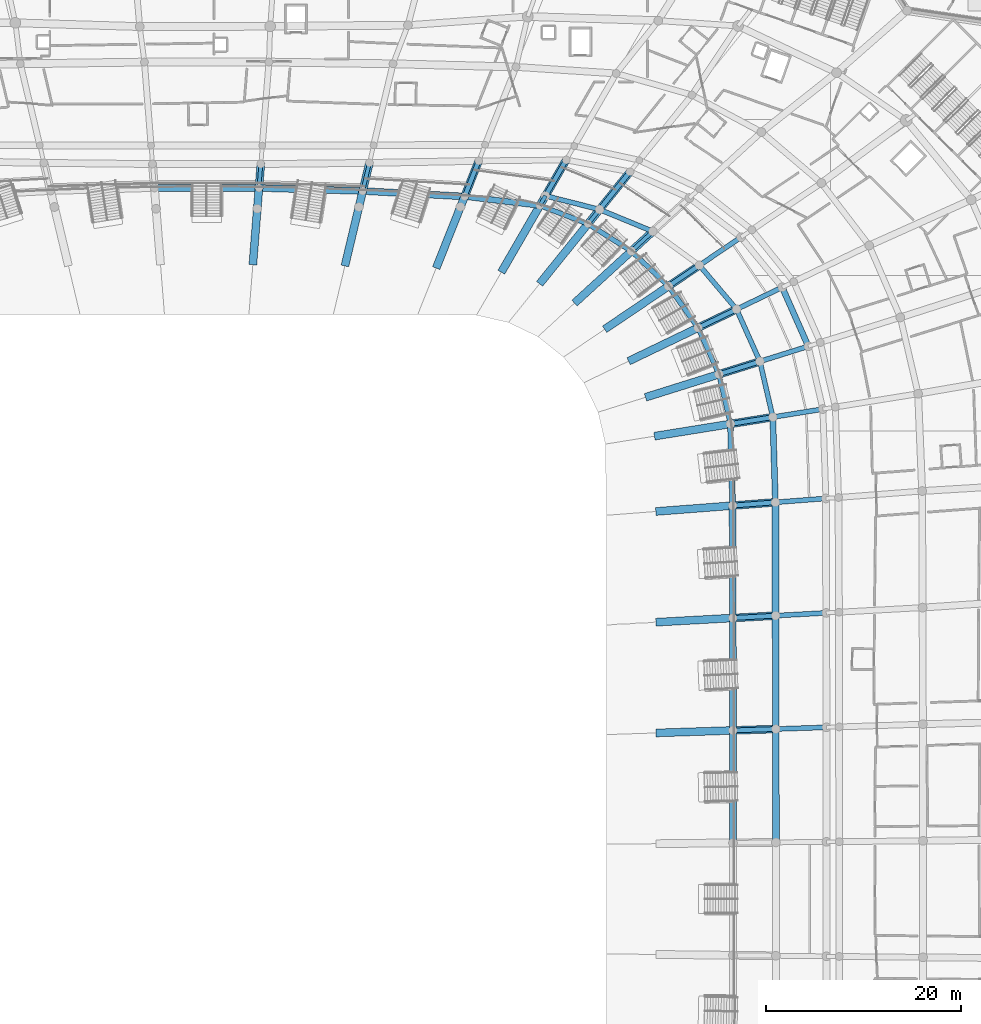
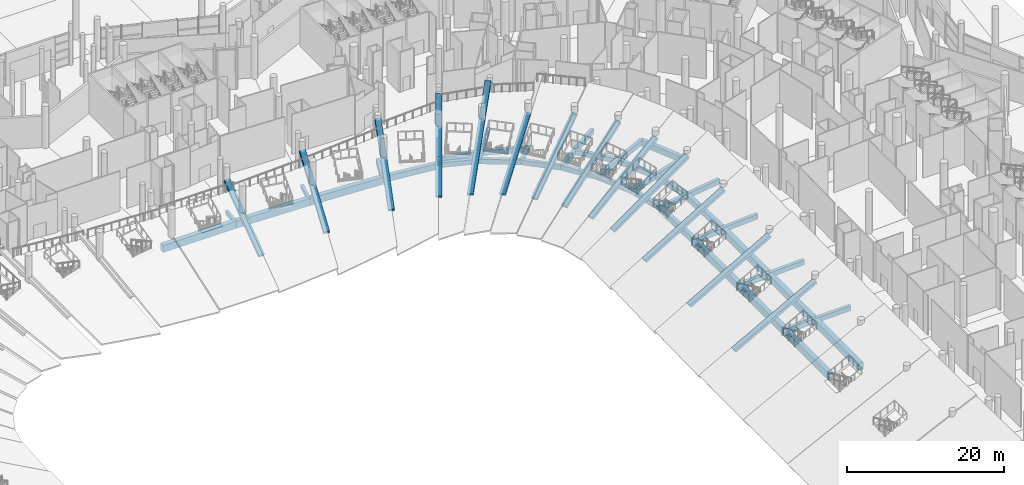
# One storey, part 56 of 255: 64 beams.
"""IFC4 building model written with IfcOpenShell, lengths in metres."""

from ifc_helpers import new_model, si_unit, direction, frame, origin, origin_2d, place, context, subcontext, project, spatial, rectangle, extrude, material, material_profile, profile_set, type_object, element, save


model = new_model("IFC4")

# Units and contexts
model_context = context("Model", 3, precision=1e-05, world=origin(), true_north=direction((0.0, 1.0)))
body_context = subcontext(model_context, "Body", "Model", "MODEL_VIEW")
ifc_project = project(units=[si_unit("LENGTHUNIT", "METRE"), si_unit("AREAUNIT", "SQUARE_METRE"), si_unit("VOLUMEUNIT", "CUBIC_METRE"), si_unit("PLANEANGLEUNIT", "RADIAN"), si_unit("MASSUNIT", "GRAM", prefix="KILO")], contexts=[model_context])

# Site, building, storey
site_placement = place(None, origin())
site = spatial("IfcSite", under=ifc_project, at=site_placement, CompositionType="ELEMENT")
building_placement = place(site_placement, origin())
building = spatial("IfcBuilding", under=site, at=building_placement, Name="Meseta Stadium", CompositionType="ELEMENT")
storey_placement = place(building_placement, origin())
storey = spatial("IfcBuildingStorey", under=building, at=storey_placement, Name="L00", CompositionType="ELEMENT", Elevation=0.0)

# Beams
ifc_material_1 = material(Name="Concrete C40/50", Category="concrete")
ifc_material_profile_1 = material_profile(ifc_material_1, rectangle(XDim=0.39990234375, YDim=0.60009765625, at=origin_2d()), Name="RC 400x600")
ifc_profile_set_1 = profile_set([ifc_material_profile_1], Name="Concrete C40/50")
beam_type_1 = type_object("IfcBeamType", Name="RC beam 400x600", PredefinedType="BEAM", material=ifc_profile_set_1)
beam_1_placement = place(storey_placement, frame((43.5693359375, 66.478759765625, -0.699951171875), z_axis=(0.737617825798, 0.675218440999, 0.0), x_axis=(-0.675218440999, 0.737617825798, 0.0)))
element("IfcBeam", 1, at=beam_1_placement, inside=storey, type_object=beam_type_1, Name="L00 radial beam frame 13 line B to U", PredefinedType="BEAM", context=body_context, shape_type="SweptSolid", body=[
    extrude(rectangle(XDim=0.39990234375, YDim=0.60009765625, at=origin_2d()), origin(), (0.0, 0.0, 1.0), 2.9931640625),
])
beam_2_placement = place(storey_placement, frame((39.11865234375, 69.274658203125, -0.699951171875), z_axis=(0.628006940143, 0.778207737775, 0.0), x_axis=(-0.778207737775, 0.628006940143, 0.0)))
element("IfcBeam", 2, at=beam_2_placement, inside=storey, type_object=beam_type_1, Name="L00 radial beam frame 14 line B to U", PredefinedType="BEAM", context=body_context, shape_type="SweptSolid", body=[
    extrude(rectangle(XDim=0.39990234375, YDim=0.60009765625, at=origin_2d()), origin(), (0.0, 0.0, 1.0), 1.8935546875),
])
beam_3_placement = place(storey_placement, frame((34.185302734375, 71.16064453125, -0.699951171875), z_axis=(0.500408466565, 0.865789447031, 0.0), x_axis=(-0.865789447031, 0.500408466565, 0.0)))
element("IfcBeam", 3, at=beam_3_placement, inside=storey, type_object=beam_type_1, Name="L00 radial beam frame 15 line B to U", PredefinedType="BEAM", context=body_context, shape_type="SweptSolid", body=[
    extrude(rectangle(XDim=0.39990234375, YDim=0.60009765625, at=origin_2d()), origin(), (0.0, 0.0, 1.0), 1.14990234375),
])
beam_4_placement = place(storey_placement, frame((16.010986328125, 72.646484375, -0.699951171875), z_axis=(0.231665078312, 0.972795606225, 0.0), x_axis=(-0.972795606225, 0.231665078312, 0.0)))
element("IfcBeam", 4, at=beam_4_placement, inside=storey, type_object=beam_type_1, Name="L00 radial beam frame 17 line B to C", PredefinedType="BEAM", context=body_context, shape_type="SweptSolid", body=[
    extrude(rectangle(XDim=0.39990234375, YDim=0.60009765625, at=origin_2d()), origin(), (0.0, 0.0, 1.0), 2.96337890625),
])
beam_5_placement = place(storey_placement, frame((5.36181640625, 72.959228515625, -0.699951171875), z_axis=(0.079091287257, 0.996867377478, 0.0), x_axis=(-0.996867377478, 0.079091287257, 0.0)))
element("IfcBeam", 5, at=beam_5_placement, inside=storey, type_object=beam_type_1, Name="L00 radial beam frame 18 line B to C", PredefinedType="BEAM", context=body_context, shape_type="SweptSolid", body=[
    extrude(rectangle(XDim=0.39990234375, YDim=0.60009765625, at=origin_2d()), origin(), (0.0, 0.0, 1.0), 2.46337890625),
])
ifc_material_2 = material(Name="Concrete C40/50", Category="concrete")
ifc_material_profile_2 = material_profile(ifc_material_2, rectangle(XDim=0.5, YDim=0.75, at=origin_2d()), Name="RC 500x750")
ifc_profile_set_2 = profile_set([ifc_material_profile_2], Name="Concrete C40/50")
beam_type_2 = type_object("IfcBeamType", Name="RC beam 500x750", PredefinedType="BEAM", material=ifc_profile_set_2)
beam_6_placement = place(storey_placement, frame((53.740234375, 48.74658203125, -0.77490234375), z_axis=(-0.225091279116, 0.974337680718, 0.0), x_axis=(-0.974337680718, -0.225091279116, 0.0)))
element("IfcBeam", 6, at=beam_6_placement, inside=storey, type_object=beam_type_2, Name="L00 ring beam frame 9 line B", PredefinedType="BEAM", context=body_context, shape_type="SweptSolid", body=[
    extrude(rectangle(XDim=0.5, YDim=0.75, at=origin_2d()), origin(), (0.0, 0.0, 1.0), 5.231201171875),
])
beam_7_placement = place(storey_placement, frame((58.084228515625, 49.4462890625, -0.77490234375), z_axis=(-0.225583026399, 0.974223946637, 0.0), x_axis=(-0.974223946637, -0.225583026399, 0.0)))
element("IfcBeam", 7, at=beam_7_placement, inside=storey, type_object=beam_type_2, Name="L00 ring beam frame 9 line U", PredefinedType="BEAM", context=body_context, shape_type="SweptSolid", body=[
    extrude(rectangle(XDim=0.5, YDim=0.75, at=origin_2d()), origin(), (0.0, 0.0, 1.0), 5.86474609375),
])
beam_8_placement = place(storey_placement, frame((52.562744140625, 53.843505859375, -0.77490234375), z_axis=(-0.410234670031, 0.911979997316, 0.0), x_axis=(-0.911979997316, -0.410234670031, 0.0)))
element("IfcBeam", 8, at=beam_8_placement, inside=storey, type_object=beam_type_2, Name="L00 ring beam frame 10 line B", PredefinedType="BEAM", context=body_context, shape_type="SweptSolid", body=[
    extrude(rectangle(XDim=0.5, YDim=0.75, at=origin_2d()), origin(), (0.0, 0.0, 1.0), 5.231689453125),
])
beam_9_placement = place(storey_placement, frame((56.76123046875, 55.159912109375, -0.77490234375), z_axis=(-0.408647140916, 0.912692453251, 0.0), x_axis=(-0.912692453251, -0.408647140916, 0.0)))
element("IfcBeam", 9, at=beam_9_placement, inside=storey, type_object=beam_type_2, Name="L00 ring beam frame 10 line U", PredefinedType="BEAM", context=body_context, shape_type="SweptSolid", body=[
    extrude(rectangle(XDim=0.5, YDim=0.75, at=origin_2d()), origin(), (0.0, 0.0, 1.0), 5.86572265625),
])
beam_10_placement = place(storey_placement, frame((50.41650390625, 58.61474609375, -0.77490234375), z_axis=(-0.579777051217, 0.814775165848, 0.0), x_axis=(-0.814775165848, -0.579777051217, 0.0)))
element("IfcBeam", 10, at=beam_10_placement, inside=storey, type_object=beam_type_2, Name="L00 ring beam frame 11 line B", PredefinedType="BEAM", context=body_context, shape_type="SweptSolid", body=[
    extrude(rectangle(XDim=0.5, YDim=0.75, at=origin_2d()), origin(), (0.0, 0.0, 1.0), 5.235107421875),
])
beam_11_placement = place(storey_placement, frame((54.3642578125, 60.513427734375, -0.77490234375), z_axis=(-0.645643699587, 0.76363879759, 0.0), x_axis=(-0.76363879759, -0.645643699587, 0.0)))
element("IfcBeam", 11, at=beam_11_placement, inside=storey, type_object=beam_type_2, Name="L00 ring beam frame 11 line U", PredefinedType="BEAM", context=body_context, shape_type="SweptSolid", body=[
    extrude(rectangle(XDim=0.5, YDim=0.75, at=origin_2d()), origin(), (0.0, 0.0, 1.0), 5.903076171875),
])
beam_12_placement = place(storey_placement, frame((47.38134765625, 62.880126953125, -0.77490234375), z_axis=(-0.727165536256, 0.686462149635, 0.0), x_axis=(-0.686462149635, -0.727165536256, 0.0)))
element("IfcBeam", 12, at=beam_12_placement, inside=storey, type_object=beam_type_2, Name="L00 ring beam frame 12 line B", PredefinedType="BEAM", context=body_context, shape_type="SweptSolid", body=[
    extrude(rectangle(XDim=0.5, YDim=0.75, at=origin_2d()), origin(), (0.0, 0.0, 1.0), 5.2421875),
])
beam_13_placement = place(storey_placement, frame((43.5693359375, 66.478759765625, -0.77490234375), z_axis=(-0.846780026323, 0.531943217853, 0.0), x_axis=(-0.531943217853, -0.846780026323, 0.0)))
element("IfcBeam", 13, at=beam_13_placement, inside=storey, type_object=beam_type_2, Name="L00 ring beam frame 13 line B", PredefinedType="BEAM", context=body_context, shape_type="SweptSolid", body=[
    extrude(rectangle(XDim=0.5, YDim=0.75, at=origin_2d()), origin(), (0.0, 0.0, 1.0), 5.256103515625),
])
beam_14_placement = place(storey_placement, frame((45.777099609375, 68.499755859375, -0.77490234375), z_axis=(-0.924886587788, 0.380243079793, 0.0), x_axis=(-0.380243079793, -0.924886587788, 0.0)))
element("IfcBeam", 14, at=beam_14_placement, inside=storey, type_object=beam_type_2, Name="L00 ring beam frame 13 line U", PredefinedType="BEAM", context=body_context, shape_type="SweptSolid", body=[
    extrude(rectangle(XDim=0.5, YDim=0.75, at=origin_2d()), origin(), (0.0, 0.0, 1.0), 5.913330078125),
])
beam_15_placement = place(storey_placement, frame((39.11865234375, 69.274658203125, -0.77490234375), z_axis=(-0.934070428282, 0.357088833497, 0.0), x_axis=(-0.357088833497, -0.934070428282, 0.0)))
element("IfcBeam", 15, at=beam_15_placement, inside=storey, type_object=beam_type_2, Name="L00 ring beam frame 14 line B", PredefinedType="BEAM", context=body_context, shape_type="SweptSolid", body=[
    extrude(rectangle(XDim=0.5, YDim=0.75, at=origin_2d()), origin(), (0.0, 0.0, 1.0), 5.281494140625),
])
beam_16_placement = place(storey_placement, frame((40.307861328125, 70.748291015625, -0.77490234375), z_axis=(-0.969265492961, 0.246017081022, 0.0), x_axis=(-0.246017081022, -0.969265492961, 0.0)))
element("IfcBeam", 16, at=beam_16_placement, inside=storey, type_object=beam_type_2, Name="L00 ring beam frame 14 line U", PredefinedType="BEAM", context=body_context, shape_type="SweptSolid", body=[
    extrude(rectangle(XDim=0.5, YDim=0.75, at=origin_2d()), origin(), (0.0, 0.0, 1.0), 5.722900390625),
])
beam_17_placement = place(storey_placement, frame((53.992919921875, 17.302490234375, -0.77490234375), z_axis=(0.999460377963, 0.032847418184, 0.0), x_axis=(-0.032847418184, 0.999460377963, 0.0)))
element("IfcBeam", 17, at=beam_17_placement, inside=storey, type_object=beam_type_2, Name="L00 radial beam frame 6 line B to U", PredefinedType="BEAM", context=body_context, shape_type="SweptSolid", body=[
    extrude(rectangle(XDim=0.5, YDim=0.75, at=origin_2d()), origin(), (0.0, 0.0, 1.0), 4.400146484375),
])
beam_18_placement = place(storey_placement, frame((58.390625, 17.447021484375, -0.77490234375), z_axis=(0.999459812725, 0.032864612406, 0.0), x_axis=(-0.032864612406, 0.999459812725, 0.0)))
element("IfcBeam", 18, at=beam_18_placement, inside=storey, type_object=beam_type_2, Name="L00 radial beam frame 6 line U to C", PredefinedType="BEAM", context=body_context, shape_type="SweptSolid", body=[
    extrude(rectangle(XDim=0.5, YDim=0.75, at=origin_2d()), origin(), (0.0, 0.0, 1.0), 5.2001953125),
])
beam_19_placement = place(storey_placement, frame((53.98046875, 28.836669921875, -0.77490234375), z_axis=(0.998502235363, 0.05471093104, 0.0), x_axis=(-0.05471093104, 0.998502235363, 0.0)))
element("IfcBeam", 19, at=beam_19_placement, inside=storey, type_object=beam_type_2, Name="L00 radial beam frame 7 line B to U", PredefinedType="BEAM", context=body_context, shape_type="SweptSolid", body=[
    extrude(rectangle(XDim=0.5, YDim=0.75, at=origin_2d()), origin(), (0.0, 0.0, 1.0), 4.39990234375),
])
beam_20_placement = place(storey_placement, frame((58.373779296875, 29.077392578125, -0.77490234375), z_axis=(0.998497968402, 0.054788749724, 0.0), x_axis=(-0.054788749724, 0.998497968402, 0.0)))
element("IfcBeam", 20, at=beam_20_placement, inside=storey, type_object=beam_type_2, Name="L00 radial beam frame 7 line U to C", PredefinedType="BEAM", context=body_context, shape_type="SweptSolid", body=[
    extrude(rectangle(XDim=0.5, YDim=0.75, at=origin_2d()), origin(), (0.0, 0.0, 1.0), 5.2001953125),
])
beam_21_placement = place(storey_placement, frame((53.9619140625, 40.369873046875, -0.77490234375), z_axis=(0.997068503293, 0.076514049307, 0.0), x_axis=(-0.076514049307, 0.997068503293, 0.0)))
element("IfcBeam", 21, at=beam_21_placement, inside=storey, type_object=beam_type_2, Name="L00 radial beam frame 8 line B to U", PredefinedType="BEAM", context=body_context, shape_type="SweptSolid", body=[
    extrude(rectangle(XDim=0.5, YDim=0.75, at=origin_2d()), origin(), (0.0, 0.0, 1.0), 4.400146484375),
])
beam_22_placement = place(storey_placement, frame((58.34912109375, 40.70654296875, -0.77490234375), z_axis=(0.997067176411, 0.076531338178, 0.0), x_axis=(-0.076531338178, 0.997067176411, 0.0)))
element("IfcBeam", 22, at=beam_22_placement, inside=storey, type_object=beam_type_2, Name="L00 radial beam frame 8 line U to C", PredefinedType="BEAM", context=body_context, shape_type="SweptSolid", body=[
    extrude(rectangle(XDim=0.5, YDim=0.75, at=origin_2d()), origin(), (0.0, 0.0, 1.0), 5.19970703125),
])
beam_23_placement = place(storey_placement, frame((53.740234375, 48.74658203125, -0.77490234375), z_axis=(0.98727458223, 0.15902483857, 0.0), x_axis=(-0.15902483857, 0.98727458223, 0.0)))
element("IfcBeam", 23, at=beam_23_placement, inside=storey, type_object=beam_type_2, Name="L00 radial beam frame 9 line B to U", PredefinedType="BEAM", context=body_context, shape_type="SweptSolid", body=[
    extrude(rectangle(XDim=0.5, YDim=0.75, at=origin_2d()), origin(), (0.0, 0.0, 1.0), 4.39990234375),
])
beam_24_placement = place(storey_placement, frame((58.084228515625, 49.4462890625, -0.77490234375), z_axis=(0.98728370104, 0.158968215879, 0.0), x_axis=(-0.158968215879, 0.98728370104, 0.0)))
element("IfcBeam", 24, at=beam_24_placement, inside=storey, type_object=beam_type_2, Name="L00 radial beam frame 9 line U to C", PredefinedType="BEAM", context=body_context, shape_type="SweptSolid", body=[
    extrude(rectangle(XDim=0.5, YDim=0.75, at=origin_2d()), origin(), (0.0, 0.0, 1.0), 5.2001953125),
])
beam_25_placement = place(storey_placement, frame((52.562744140625, 53.843505859375, -0.77490234375), z_axis=(0.954196192549, 0.299181593896, 0.0), x_axis=(-0.299181593896, 0.954196192549, 0.0)))
element("IfcBeam", 25, at=beam_25_placement, inside=storey, type_object=beam_type_2, Name="L00 radial beam frame 10 line B to U", PredefinedType="BEAM", context=body_context, shape_type="SweptSolid", body=[
    extrude(rectangle(XDim=0.5, YDim=0.75, at=origin_2d()), origin(), (0.0, 0.0, 1.0), 4.39990234375),
])
beam_26_placement = place(storey_placement, frame((56.76123046875, 55.159912109375, -0.77490234375), z_axis=(0.954202212312, 0.299162394059, 0.0), x_axis=(-0.299162394059, 0.954202212312, 0.0)))
element("IfcBeam", 26, at=beam_26_placement, inside=storey, type_object=beam_type_2, Name="L00 radial beam frame 10 line U to C", PredefinedType="BEAM", context=body_context, shape_type="SweptSolid", body=[
    extrude(rectangle(XDim=0.5, YDim=0.75, at=origin_2d()), origin(), (0.0, 0.0, 1.0), 5.199951171875),
])
beam_27_placement = place(storey_placement, frame((50.41650390625, 58.61474609375, -0.77490234375), z_axis=(0.901187960195, 0.433428495141, 0.0), x_axis=(-0.433428495141, 0.901187960195, 0.0)))
element("IfcBeam", 27, at=beam_27_placement, inside=storey, type_object=beam_type_2, Name="L00 radial beam frame 11 line B to U", PredefinedType="BEAM", context=body_context, shape_type="SweptSolid", body=[
    extrude(rectangle(XDim=0.5, YDim=0.75, at=origin_2d()), origin(), (0.0, 0.0, 1.0), 4.380615234375),
])
beam_28_placement = place(storey_placement, frame((54.3642578125, 60.513427734375, -0.77490234375), z_axis=(0.90120621649, 0.433390534461, 0.0), x_axis=(-0.433390534461, 0.90120621649, 0.0)))
element("IfcBeam", 28, at=beam_28_placement, inside=storey, type_object=beam_type_2, Name="L00 radial beam frame 11 line U to C", PredefinedType="BEAM", context=body_context, shape_type="SweptSolid", body=[
    extrude(rectangle(XDim=0.5, YDim=0.75, at=origin_2d()), origin(), (0.0, 0.0, 1.0), 5.198486328125),
])
beam_29_placement = place(storey_placement, frame((47.38134765625, 62.880126953125, -0.77490234375), z_axis=(0.828816868957, 0.559519970807, 0.0), x_axis=(-0.559519970807, 0.828816868957, 0.0)))
element("IfcBeam", 29, at=beam_29_placement, inside=storey, type_object=beam_type_2, Name="L00 radial beam frame 12 line B to U", PredefinedType="BEAM", context=body_context, shape_type="SweptSolid", body=[
    extrude(rectangle(XDim=0.5, YDim=0.75, at=origin_2d()), origin(), (0.0, 0.0, 1.0), 3.82666015625),
])
beam_30_placement = place(storey_placement, frame((50.552978515625, 65.021240234375, -0.77490234375), z_axis=(0.828811285553, 0.559528241414, 0.0), x_axis=(-0.559528241414, 0.828811285553, 0.0)))
element("IfcBeam", 30, at=beam_30_placement, inside=storey, type_object=beam_type_2, Name="L00 radial beam frame 12 line U to C", PredefinedType="BEAM", context=body_context, shape_type="SweptSolid", body=[
    extrude(rectangle(XDim=0.5, YDim=0.75, at=origin_2d()), origin(), (0.0, 0.0, 1.0), 5.14794921875),
])
beam_31_placement = place(storey_placement, frame((40.307861328125, 70.748291015625, -0.77490234375), z_axis=(0.62803074545, 0.778188526496, 0.0), x_axis=(-0.778188526496, 0.62803074545, 0.0)))
element("IfcBeam", 31, at=beam_31_placement, inside=storey, type_object=beam_type_2, Name="L00 radial beam frame 14 line U to C", PredefinedType="BEAM", context=body_context, shape_type="SweptSolid", body=[
    extrude(rectangle(XDim=0.5, YDim=0.75, at=origin_2d()), origin(), (0.0, 0.0, 1.0), 4.971923828125),
])
beam_32_placement = place(storey_placement, frame((34.7607421875, 72.15625, -0.77490234375), z_axis=(0.500435623827, 0.865773750125, 0.0), x_axis=(-0.865773750125, 0.500435623827, 0.0)))
element("IfcBeam", 32, at=beam_32_placement, inside=storey, type_object=beam_type_2, Name="L00 radial beam frame 15 line U to C", PredefinedType="BEAM", context=body_context, shape_type="SweptSolid", body=[
    extrude(rectangle(XDim=0.5, YDim=0.75, at=origin_2d()), origin(), (0.0, 0.0, 1.0), 4.246826171875),
])
beam_33_placement = place(storey_placement, frame((26.461669921875, 72.08349609375, -0.77490234375), z_axis=(0.368839555562, 0.929493078109, 0.0), x_axis=(-0.929493078109, 0.368839555562, 0.0)))
element("IfcBeam", 33, at=beam_33_placement, inside=storey, type_object=beam_type_2, Name="L00 radial beam frame 16 line B to C", PredefinedType="BEAM", context=body_context, shape_type="SweptSolid", body=[
    extrude(rectangle(XDim=0.5, YDim=0.75, at=origin_2d()), origin(), (0.0, 0.0, 1.0), 3.92919921875),
])
ifc_material_3 = material(Name="Concrete C40/50", Category="concrete")
ifc_material_profile_3 = material_profile(ifc_material_3, rectangle(XDim=0.60009765625, YDim=0.89990234375, at=origin_2d()), Name="RC 600x900")
ifc_profile_set_3 = profile_set([ifc_material_profile_3], Name="Concrete C40/50")
beam_type_3 = type_object("IfcBeamType", Name="RC beam 600x900", PredefinedType="BEAM", material=ifc_profile_set_3)
beam_34_placement = place(storey_placement, frame((53.9619140625, 40.369873046875, -0.85009765625), z_axis=(-0.026454554384, 0.999650017032, 0.0), x_axis=(-0.999650017032, -0.026454554384, 0.0)))
element("IfcBeam", 34, at=beam_34_placement, inside=storey, type_object=beam_type_3, Name="L00 ring beam frame 8 line B", PredefinedType="BEAM", context=body_context, shape_type="SweptSolid", body=[
    extrude(rectangle(XDim=0.60009765625, YDim=0.89990234375, at=origin_2d()), origin(), (0.0, 0.0, 1.0), 8.379638671875),
])
beam_35_placement = place(storey_placement, frame((58.34912109375, 40.70654296875, -0.85009765625), z_axis=(-0.030295043991, 0.999540999814, 0.0), x_axis=(-0.999540999814, -0.030295043991, 0.0)))
element("IfcBeam", 35, at=beam_35_placement, inside=storey, type_object=beam_type_3, Name="L00 ring beam frame 8 line U", PredefinedType="BEAM", context=body_context, shape_type="SweptSolid", body=[
    extrude(rectangle(XDim=0.60009765625, YDim=0.89990234375, at=origin_2d()), origin(), (0.0, 0.0, 1.0), 8.74365234375),
])
beam_36_placement = place(storey_placement, frame((61.72314453125, 56.715576171875, -0.85009765625), z_axis=(-0.404223446973, 0.914660267486, 0.0), x_axis=(-0.914660267486, -0.404223446973, 0.0)))
element("IfcBeam", 36, at=beam_36_placement, inside=storey, type_object=beam_type_3, Name="L00 ring beam frame 10 line C", PredefinedType="BEAM", context=body_context, shape_type="SweptSolid", body=[
    extrude(rectangle(XDim=0.60009765625, YDim=0.89990234375, at=origin_2d()), origin(), (0.0, 0.0, 1.0), 6.615234375),
])
beam_37_placement = place(storey_placement, frame((34.185302734375, 71.16064453125, -0.85009765625), z_axis=(-0.992937304474, 0.118640251957, 0.0), x_axis=(-0.118640251957, -0.992937304474, 0.0)))
element("IfcBeam", 37, at=beam_37_placement, inside=storey, type_object=beam_type_3, Name="L00 ring beam frame 15 line B", PredefinedType="BEAM", context=body_context, shape_type="SweptSolid", body=[
    extrude(rectangle(XDim=0.60009765625, YDim=0.89990234375, at=origin_2d()), origin(), (0.0, 0.0, 1.0), 7.778564453125),
])
ifc_material_4 = material(Name="Concrete C40/50", Category="concrete")
ifc_material_profile_4 = material_profile(ifc_material_4, rectangle(XDim=0.699951171875, YDim=1.10009765625, at=origin_2d()), Name="RC 700x1100")
ifc_profile_set_4 = profile_set([ifc_material_profile_4], Name="Concrete C40/50")
beam_type_4 = type_object("IfcBeamType", Name="RC beam 700x1100", PredefinedType="BEAM", material=ifc_profile_set_4)
beam_38_placement = place(storey_placement, frame((53.999267578125, 5.767578125, -0.949951171875), z_axis=(-0.000550299407, 0.999999848585, 0.0), x_axis=(-0.999999848585, -0.000550299407, 0.0)))
element("IfcBeam", 38, at=beam_38_placement, inside=storey, type_object=beam_type_4, Name="L00 ring beam frame 5 line B", PredefinedType="BEAM", context=body_context, shape_type="SweptSolid", body=[
    extrude(rectangle(XDim=0.699951171875, YDim=1.10009765625, at=origin_2d()), origin(), (0.0, 0.0, 1.0), 11.534912109375),
])
beam_39_placement = place(storey_placement, frame((58.39892578125, 5.81591796875, -0.949951171875), z_axis=(-0.000713670816, 0.999999745337, 0.0), x_axis=(-0.999999745337, -0.000713670816, 0.0)))
element("IfcBeam", 39, at=beam_39_placement, inside=storey, type_object=beam_type_4, Name="L00 ring beam frame 5 line U", PredefinedType="BEAM", context=body_context, shape_type="SweptSolid", body=[
    extrude(rectangle(XDim=0.699951171875, YDim=1.10009765625, at=origin_2d()), origin(), (0.0, 0.0, 1.0), 11.631103515625),
])
beam_40_placement = place(storey_placement, frame((53.992919921875, 17.302490234375, -0.949951171875), z_axis=(-0.00107950153, 0.999999417338, 0.0), x_axis=(-0.999999417338, -0.00107950153, 0.0)))
element("IfcBeam", 40, at=beam_40_placement, inside=storey, type_object=beam_type_4, Name="L00 ring beam frame 6 line B", PredefinedType="BEAM", context=body_context, shape_type="SweptSolid", body=[
    extrude(rectangle(XDim=0.699951171875, YDim=1.10009765625, at=origin_2d()), origin(), (0.0, 0.0, 1.0), 11.5341796875),
])
beam_41_placement = place(storey_placement, frame((58.390625, 17.447021484375, -0.949951171875), z_axis=(-0.001448422008, 0.999998951036, 0.0), x_axis=(-0.999998951036, -0.001448422008, 0.0)))
element("IfcBeam", 41, at=beam_41_placement, inside=storey, type_object=beam_type_4, Name="L00 ring beam frame 6 line U", PredefinedType="BEAM", context=body_context, shape_type="SweptSolid", body=[
    extrude(rectangle(XDim=0.699951171875, YDim=1.10009765625, at=origin_2d()), origin(), (0.0, 0.0, 1.0), 11.63037109375),
])
beam_42_placement = place(storey_placement, frame((53.98046875, 28.836669921875, -0.949951171875), z_axis=(-0.001608804015, 0.999998705874, 0.0), x_axis=(-0.999998705874, -0.001608804015, 0.0)))
element("IfcBeam", 42, at=beam_42_placement, inside=storey, type_object=beam_type_4, Name="L00 ring beam frame 7 line B", PredefinedType="BEAM", context=body_context, shape_type="SweptSolid", body=[
    extrude(rectangle(XDim=0.699951171875, YDim=1.10009765625, at=origin_2d()), origin(), (0.0, 0.0, 1.0), 11.533203125),
])
beam_43_placement = place(storey_placement, frame((58.373779296875, 29.077392578125, -0.949951171875), z_axis=(-0.002120373962, 0.999997752005, 0.0), x_axis=(-0.999997752005, -0.002120373962, 0.0)))
element("IfcBeam", 43, at=beam_43_placement, inside=storey, type_object=beam_type_4, Name="L00 ring beam frame 7 line U", PredefinedType="BEAM", context=body_context, shape_type="SweptSolid", body=[
    extrude(rectangle(XDim=0.699951171875, YDim=1.10009765625, at=origin_2d()), origin(), (0.0, 0.0, 1.0), 11.629150390625),
])
beam_44_placement = place(storey_placement, frame((26.461669921875, 72.08349609375, -0.949951171875), z_axis=(-0.998552110885, 0.053792953504, 0.0), x_axis=(-0.053792953504, -0.998552110885, 0.0)))
element("IfcBeam", 44, at=beam_44_placement, inside=storey, type_object=beam_type_4, Name="L00 ring beam frame 16 line B", PredefinedType="BEAM", context=body_context, shape_type="SweptSolid", body=[
    extrude(rectangle(XDim=0.699951171875, YDim=1.10009765625, at=origin_2d()), origin(), (0.0, 0.0, 1.0), 10.4658203125),
])
beam_45_placement = place(storey_placement, frame((16.010986328125, 72.646484375, -0.949951171875), z_axis=(-0.999569040917, 0.029355279612, 0.0), x_axis=(-0.029355279612, -0.999569040917, 0.0)))
element("IfcBeam", 45, at=beam_45_placement, inside=storey, type_object=beam_type_4, Name="L00 ring beam frame 17 line B", PredefinedType="BEAM", context=body_context, shape_type="SweptSolid", body=[
    extrude(rectangle(XDim=0.699951171875, YDim=1.10009765625, at=origin_2d()), origin(), (0.0, 0.0, 1.0), 10.65380859375),
])
beam_46_placement = place(storey_placement, frame((5.36181640625, 72.959228515625, -0.949951171875), z_axis=(-1.0, 0.0, 0.0), x_axis=(0.0, -1.0, 0.0)))
element("IfcBeam", 46, at=beam_46_placement, inside=storey, type_object=beam_type_4, Name="L00 ring beam frame 18 line B", PredefinedType="BEAM", context=body_context, shape_type="SweptSolid", body=[
    extrude(rectangle(XDim=0.699951171875, YDim=1.10009765625, at=origin_2d()), origin(), (0.0, 0.0, 1.0), 10.7236328125),
])
ifc_material_5 = material(Name="Concrete C40/50", Category="concrete")
ifc_material_profile_5 = material_profile(ifc_material_5, rectangle(XDim=0.800048828125, YDim=0.449951171875, at=origin_2d()), Name="RC 800x450")
ifc_profile_set_5 = profile_set([ifc_material_profile_5], Name="Concrete C40/50")
beam_type_5 = type_object("IfcBeamType", Name="RC raker lower 800x450", PredefinedType="USERDEFINED", material=ifc_profile_set_5)
for number, where, z_axis, x_axis, name in (
    (47, (46.197265625, 17.0458984375, -0.9306640625), (0.890362604919, 0.029290120132, 0.454308838374), (-0.032879058379, 0.999459337602, 0.0), "Raker lower frame 6 lower tier"),
    (48, (46.192138671875, 28.40966796875, -0.867919921875), (0.889508530141, 0.048757532266, 0.454309671759), (-0.054731851811, 0.998501088831, 0.0), "Raker lower frame 7 lower tier"),
    (49, (46.184814453125, 39.77294921875, -0.805419921875), (0.888233965299, 0.068170731225, 0.454305155478), (-0.076523575733, 0.997067772199, 0.0), "Raker lower frame 8 lower tier"),
):
    element("IfcBeam", number, at=place(storey_placement, frame(where, z_axis=z_axis, x_axis=x_axis)), inside=storey, type_object=beam_type_5, Name=name, ObjectType="RAKER", PredefinedType="USERDEFINED", context=body_context, shape_type="SweptSolid", body=[
        extrude(rectangle(XDim=0.800048828125, YDim=0.449951171875, at=origin_2d()), origin(), (0.0, 0.0, 1.0), 13.69482421875),
    ])
beam_47_placement = place(storey_placement, frame((46.03955078125, 47.50634765625, -0.7998046875), z_axis=(0.879658390455, 0.141679650766, 0.454013207584), x_axis=(-0.159012854331, 0.987276512512, 0.0)))
element("IfcBeam", 50, at=beam_47_placement, inside=storey, type_object=beam_type_5, Name="Raker lower frame 9 lower tier", ObjectType="RAKER", PredefinedType="USERDEFINED", context=body_context, shape_type="SweptSolid", body=[
    extrude(rectangle(XDim=0.800048828125, YDim=0.449951171875, at=origin_2d()), origin(), (0.0, 0.0, 1.0), 13.6923828125),
])
beam_48_placement = place(storey_placement, frame((45.1201171875, 51.510009765625, -0.937744140625), z_axis=(0.850481481105, 0.266656141574, 0.453404623331), x_axis=(-0.299175031257, 0.954198250194, 0.0)))
element("IfcBeam", 51, at=beam_48_placement, inside=storey, type_object=beam_type_5, Name="Raker lower frame 10 lower tier", ObjectType="RAKER", PredefinedType="USERDEFINED", context=body_context, shape_type="SweptSolid", body=[
    extrude(rectangle(XDim=0.800048828125, YDim=0.449951171875, at=origin_2d()), origin(), (0.0, 0.0, 1.0), 13.687744140625),
])
beam_49_placement = place(storey_placement, frame((43.38720703125, 55.234130859375, -0.869873046875), z_axis=(0.803235737303, 0.386307761742, 0.453407833565), x_axis=(-0.433419038338, 0.901192508405, 0.0)))
element("IfcBeam", 52, at=beam_49_placement, inside=storey, type_object=beam_type_5, Name="Raker lower frame 11 lower tier", ObjectType="RAKER", PredefinedType="USERDEFINED", context=body_context, shape_type="SweptSolid", body=[
    extrude(rectangle(XDim=0.800048828125, YDim=0.449951171875, at=origin_2d()), origin(), (0.0, 0.0, 1.0), 13.666015625),
])
beam_50_placement = place(storey_placement, frame((40.91650390625, 58.51611328125, -0.803955078125), z_axis=(0.738748342536, 0.498693967391, 0.453381972831), x_axis=(-0.559502787973, 0.828828468533, 0.0)))
element("IfcBeam", 53, at=beam_50_placement, inside=storey, type_object=beam_type_5, Name="Raker lower frame 12 lower tier", ObjectType="RAKER", PredefinedType="USERDEFINED", context=body_context, shape_type="SweptSolid", body=[
    extrude(rectangle(XDim=0.800048828125, YDim=0.449951171875, at=origin_2d()), origin(), (0.0, 0.0, 1.0), 13.04443359375),
])
beam_51_placement = place(storey_placement, frame((37.816162109375, 61.2119140625, -0.74169921875), z_axis=(0.65744286386, 0.601856198758, 0.453362985671), x_axis=(-0.675236907747, 0.737600920834, 0.0)))
element("IfcBeam", 54, at=beam_51_placement, inside=storey, type_object=beam_type_5, Name="Raker lower frame 13 lower tier", ObjectType="RAKER", PredefinedType="USERDEFINED", context=body_context, shape_type="SweptSolid", body=[
    extrude(rectangle(XDim=0.800048828125, YDim=0.449951171875, at=origin_2d()), origin(), (0.0, 0.0, 1.0), 12.10888671875),
])
beam_52_placement = place(storey_placement, frame((34.219970703125, 63.204833984375, -0.68359375), z_axis=(0.559800472528, 0.693644329491, 0.453300093892), x_axis=(-0.778188287277, 0.628031041865, 0.0)))
element("IfcBeam", 55, at=beam_52_placement, inside=storey, type_object=beam_type_5, Name="Raker lower frame 14 lower tier", ObjectType="RAKER", PredefinedType="USERDEFINED", context=body_context, shape_type="SweptSolid", body=[
    extrude(rectangle(XDim=0.800048828125, YDim=0.449951171875, at=origin_2d()), origin(), (0.0, 0.0, 1.0), 10.875),
])
beam_53_placement = place(storey_placement, frame((40.307861328125, 70.748291015625, 4.24609375), z_axis=(0.559786273019, 0.693627275591, 0.453343722903), x_axis=(-0.778188526496, 0.62803074545, 0.0)))
element("IfcBeam", 56, at=beam_53_placement, inside=storey, type_object=beam_type_5, Name="Raker lower frame 14 lower tier", ObjectType="RAKER", PredefinedType="USERDEFINED", context=body_context, shape_type="SweptSolid", body=[
    extrude(rectangle(XDim=0.800048828125, YDim=0.449951171875, at=origin_2d()), origin(), (0.0, 0.0, 1.0), 5.578125),
])
beam_54_placement = place(storey_placement, frame((30.28173828125, 64.40771484375, -0.35009765625), z_axis=(0.446051134822, 0.771654361549, 0.453418053706), x_axis=(-0.865764748556, 0.500451196579, 0.0)))
element("IfcBeam", 57, at=beam_54_placement, inside=storey, type_object=beam_type_5, Name="Raker lower frame 15 lower tier", ObjectType="RAKER", PredefinedType="USERDEFINED", context=body_context, shape_type="SweptSolid", body=[
    extrude(rectangle(XDim=0.800048828125, YDim=0.449951171875, at=origin_2d()), origin(), (0.0, 0.0, 1.0), 10.04150390625),
])
beam_55_placement = place(storey_placement, frame((34.7607421875, 72.15625, 4.202880859375), z_axis=(0.446037730882, 0.771663208165, 0.453416183868), x_axis=(-0.865773750125, 0.500435623827, 0.0)))
element("IfcBeam", 58, at=beam_55_placement, inside=storey, type_object=beam_type_5, Name="Raker lower frame 15 lower tier", ObjectType="RAKER", PredefinedType="USERDEFINED", context=body_context, shape_type="SweptSolid", body=[
    extrude(rectangle(XDim=0.800048828125, YDim=0.449951171875, at=origin_2d()), origin(), (0.0, 0.0, 1.0), 4.7646484375),
])
beam_56_placement = place(storey_placement, frame((23.584716796875, 64.83349609375, -0.331298828125), z_axis=(0.328763872797, 0.828437838917, 0.453436944894), x_axis=(-0.929483518475, 0.368863645381, 0.0)))
element("IfcBeam", 59, at=beam_56_placement, inside=storey, type_object=beam_type_5, Name="Raker lower frame 16 lower tier", ObjectType="RAKER", PredefinedType="USERDEFINED", context=body_context, shape_type="SweptSolid", body=[
    extrude(rectangle(XDim=0.800048828125, YDim=0.449951171875, at=origin_2d()), origin(), (0.0, 0.0, 1.0), 7.4609375),
])
beam_57_placement = place(storey_placement, frame((26.03759765625, 71.014404296875, 3.0517578125), z_axis=(0.32871917262, 0.82845971069, 0.453429391764), x_axis=(-0.929504050657, 0.368811903025, 0.0)))
element("IfcBeam", 60, at=beam_57_placement, inside=storey, type_object=beam_type_5, Name="Raker lower frame 16 lower tier", ObjectType="RAKER", PredefinedType="USERDEFINED", context=body_context, shape_type="SweptSolid", body=[
    extrude(rectangle(XDim=0.800048828125, YDim=0.449951171875, at=origin_2d()), origin(), (0.0, 0.0, 1.0), 5.69873046875),
])
beam_58_placement = place(storey_placement, frame((14.204345703125, 65.05859375, -0.65478515625), z_axis=(0.206461177483, 0.867115598416, 0.453303784647), x_axis=(-0.972804929857, 0.231625923517, 0.0)))
element("IfcBeam", 61, at=beam_58_placement, inside=storey, type_object=beam_type_5, Name="Raker lower frame 17 lower tier", ObjectType="RAKER", PredefinedType="USERDEFINED", context=body_context, shape_type="SweptSolid", body=[
    extrude(rectangle(XDim=0.800048828125, YDim=0.449951171875, at=origin_2d()), origin(), (0.0, 0.0, 1.0), 6.862060546875),
])
beam_59_placement = place(storey_placement, frame((15.62109375, 71.0087890625, 2.455810546875), z_axis=(0.206482744858, 0.867143230619, 0.453241098829), x_axis=(-0.972801141001, 0.231641835746, 0.0)))
element("IfcBeam", 62, at=beam_59_placement, inside=storey, type_object=beam_type_5, Name="Raker lower frame 17 lower tier", ObjectType="RAKER", PredefinedType="USERDEFINED", context=body_context, shape_type="SweptSolid", body=[
    extrude(rectangle(XDim=0.800048828125, YDim=0.449951171875, at=origin_2d()), origin(), (0.0, 0.0, 1.0), 5.213134765625),
])
beam_60_placement = place(storey_placement, frame((4.74462890625, 65.18359375, -1.001708984375), z_axis=(0.070539823513, 0.888632542225, 0.453162595762), x_axis=(-0.996864204144, 0.079131273823, 0.0)))
element("IfcBeam", 63, at=beam_60_placement, inside=storey, type_object=beam_type_5, Name="Raker lower frame 18 lower tier", ObjectType="RAKER", PredefinedType="USERDEFINED", context=body_context, shape_type="SweptSolid", body=[
    extrude(rectangle(XDim=0.800048828125, YDim=0.449951171875, at=origin_2d()), origin(), (0.0, 0.0, 1.0), 6.347412109375),
])
beam_61_placement = place(storey_placement, frame((5.1923828125, 70.82421875, 1.874755859375), z_axis=(0.070510288867, 0.888609223564, 0.453212915704), x_axis=(-0.99686665348, 0.079100412008, 0.0)))
element("IfcBeam", 64, at=beam_61_placement, inside=storey, type_object=beam_type_5, Name="Raker lower frame 18 lower tier", ObjectType="RAKER", PredefinedType="USERDEFINED", context=body_context, shape_type="SweptSolid", body=[
    extrude(rectangle(XDim=0.800048828125, YDim=0.449951171875, at=origin_2d()), origin(), (0.0, 0.0, 1.0), 5.166015625),
])

save(model, "model.ifc")
